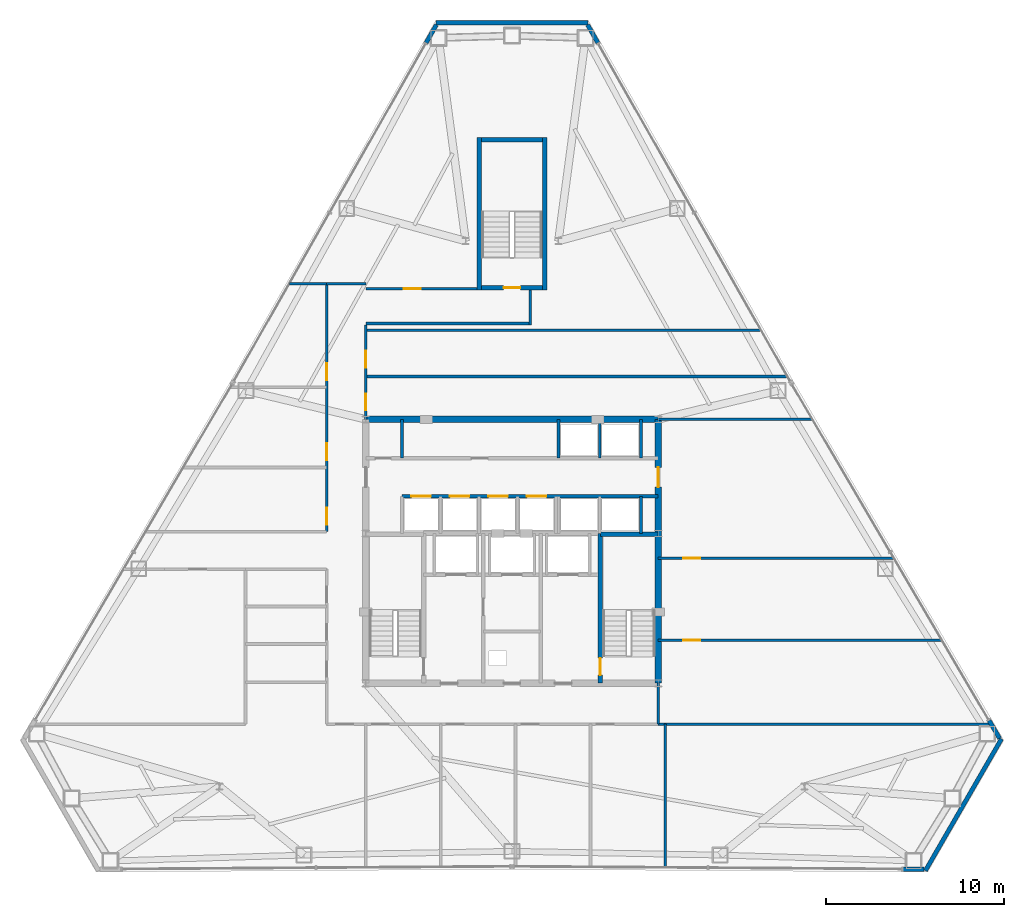
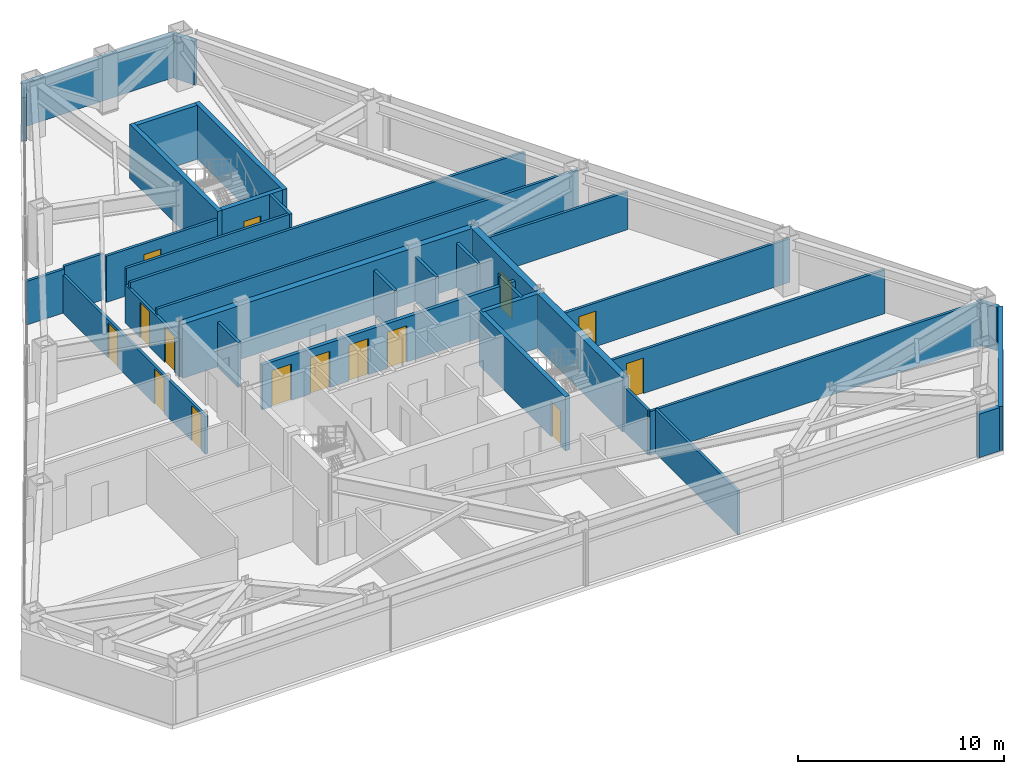
# One storey, part 10 of 12: 35 walls, 15 doors, 15 openings.
"""IFC4 building model written with IfcOpenShell, lengths in metres."""

import ifcopenshell
import ifcopenshell.guid

model = None  # the IFC model being written
_history = None  # IfcOwnerHistory: only IFC2X3 demands one
_inside = {}  # id of a spatial element -> (the spatial element, [elements in it])
_under = {}  # id of a project, library or spatial element -> (it, [spatial elements below it])
_declared = {}  # id of a project -> (the project, [libraries it declares])
_typed = {}  # id of a type object -> (the type object, [elements of that type])
_made_of = {}  # id of a material, layer set ... -> (it, [elements and type objects made of it])


def new_model(schema):
    """Start an empty IFC model of exactly this schema.

    Asked for "IFC4X3", IfcOpenShell would pick the latest addendum, in which some entities
    have other attributes; the version numbers below select the first issue.
    IFC2X3 requires an IfcOwnerHistory on every rooted entity: one is made here for all.
    """
    global model, _history
    if schema == "IFC4X3":
        model = ifcopenshell.file(schema_version=(4, 3, 0, 0))
    else:
        model = ifcopenshell.file(schema=schema)
    _inside.clear()
    _under.clear()
    _declared.clear()
    _typed.clear()
    _made_of.clear()
    _history = None
    if model.schema == "IFC2X3":
        org = make("IfcOrganization", Name="unknown")
        user = make(
            "IfcPersonAndOrganization",
            ThePerson=make("IfcPerson", FamilyName="unknown"),
            TheOrganization=org,
        )
        app = make(
            "IfcApplication",
            ApplicationDeveloper=org,
            Version="unknown",
            ApplicationFullName="unknown",
            ApplicationIdentifier="unknown",
        )
        _history = make(
            "IfcOwnerHistory",
            OwningUser=user,
            OwningApplication=app,
            ChangeAction="ADDED",
            CreationDate=0,
        )
    return model


def make(cls, **values):
    """One entity of the class cls with the attributes given. An attribute that is None is left unset."""
    return model.create_entity(
        cls, **{name: value for name, value in values.items() if value is not None}
    )


def rooted(cls, **values):
    """An entity with a GlobalId (a new one), such as an element, a storey or a relation."""
    return make(cls, GlobalId=ifcopenshell.guid.new(), OwnerHistory=_history, **values)


def si_unit(unit_type, name, prefix=None):
    """IfcSIUnit, for example si_unit("LENGTHUNIT", "METRE", prefix="MILLI")."""
    return make("IfcSIUnit", UnitType=unit_type, Prefix=prefix, Name=name)


def assignment(units):
    """IfcUnitAssignment: the units of a project."""
    return None if units is None else make("IfcUnitAssignment", Units=units)


def point(xyz):
    """IfcCartesianPoint."""
    return None if xyz is None else make("IfcCartesianPoint", Coordinates=xyz)


def direction(xyz):
    """IfcDirection."""
    return None if xyz is None else make("IfcDirection", DirectionRatios=xyz)


def frame(location, z_axis=None, x_axis=None):
    """IfcAxis2Placement3D, a coordinate frame: its origin and axes. An axis left out is left unset."""
    return make(
        "IfcAxis2Placement3D",
        Location=point(location),
        Axis=direction(z_axis),
        RefDirection=direction(x_axis),
    )


def frame_2d(location, x_axis=None):
    """IfcAxis2Placement2D, a coordinate frame in the plane: its origin and x axis."""
    return make(
        "IfcAxis2Placement2D", Location=point(location), RefDirection=direction(x_axis)
    )


def origin():
    """The frame at (0, 0, 0) with its axes left unset."""
    return frame((0.0, 0.0, 0.0))


def place(relative_to, where):
    """IfcLocalPlacement: puts the frame where relative to a parent placement (None: the world)."""
    return make(
        "IfcLocalPlacement", PlacementRelTo=relative_to, RelativePlacement=where
    )


def context(
    kind, dimensions, precision=None, world=None, true_north=None, identifier=None
):
    """IfcGeometricRepresentationContext, for example the 3D "Model" context."""
    return make(
        "IfcGeometricRepresentationContext",
        ContextIdentifier=identifier,
        ContextType=kind,
        CoordinateSpaceDimension=dimensions,
        Precision=precision,
        WorldCoordinateSystem=world,
        TrueNorth=true_north,
    )


def subcontext(parent, identifier, kind, view, scale=None):
    """IfcGeometricRepresentationSubContext, for example "Body" below "Model"."""
    return make(
        "IfcGeometricRepresentationSubContext",
        ContextIdentifier=identifier,
        ContextType=kind,
        ParentContext=parent,
        TargetScale=scale,
        TargetView=view,
    )


def project(units=None, contexts=None):
    """IfcProject with its units and contexts."""
    return rooted(
        "IfcProject",
        Name="project",
        RepresentationContexts=contexts,
        UnitsInContext=assignment(units),
    )


def spatial(cls, under=None, at=None, **own):
    """A site, building, storey or space (cls), placed at a placement, below another one or the project."""
    s = rooted(cls, ObjectPlacement=at, **own)
    if under is not None:
        _under.setdefault(under.id(), (under, []))[1].append(s)
    return s


def profile(cls, at=None, kind="AREA", **sizes):
    """A parametric profile (cls). Its sizes go by their IFC names, for example OverallWidth=200.0."""
    return make(cls, ProfileType=kind, Position=at, **sizes)


def rectangle(**sizes):
    """IfcRectangleProfileDef."""
    return profile("IfcRectangleProfileDef", **sizes)


def extrude(swept, where, along, depth):
    """IfcExtrudedAreaSolid: the profile swept, set in the frame where, extruded along a direction by depth."""
    return make(
        "IfcExtrudedAreaSolid",
        SweptArea=swept,
        Position=where,
        ExtrudedDirection=direction(along),
        Depth=depth,
    )


def shape(context_of_items, identifier, shape_type, items):
    """IfcShapeRepresentation: the items that make up one representation, for example the "Body"."""
    return make(
        "IfcShapeRepresentation",
        ContextOfItems=context_of_items,
        RepresentationIdentifier=identifier,
        RepresentationType=shape_type,
        Items=items,
    )


def material(Name=None, Category=None):
    """IfcMaterial."""
    return make("IfcMaterial", Name=Name, Category=Category)


def layer(
    of_material, thickness, ventilated=None, Name=None, Category=None, Priority=None
):
    """IfcMaterialLayer: one layer of a wall or slab, of a material (None: an air gap)."""
    return make(
        "IfcMaterialLayer",
        Material=of_material,
        LayerThickness=thickness,
        IsVentilated=ventilated,
        Name=Name,
        Category=Category,
        Priority=Priority,
    )


def layer_set(layers, Name=None):
    """IfcMaterialLayerSet."""
    return make("IfcMaterialLayerSet", MaterialLayers=layers, LayerSetName=Name)


def made_of(thing, what):
    """Note that an element or type object is made of a material, layer set ...; save() writes the relation."""
    if what is not None:
        _made_of.setdefault(what.id(), (what, []))[1].append(thing)
    return thing


def type_object(cls, material=None, **own):
    """A type object (cls), such as IfcWallType, which elements share."""
    return made_of(rooted(cls, **own), material)


def element(
    cls,
    number,
    at=None,
    inside=None,
    cuts=None,
    type_object=None,
    material=None,
    context=None,
    identifier="Body",
    shape_type=None,
    held_by="IfcProductDefinitionShape",
    body=None,
    shapes=None,
    **own,
):
    """One element of the class cls, such as IfcWall. Its Tag is "e" and its number.

    at: its placement. inside: the storey or other place that contains it. cuts: it is an
    opening in that element (IfcRelVoidsElement). A single representation is given by context,
    identifier, shape_type and body (its items); several are given by shapes. held_by: the class
    of the entity that holds the representations. save() writes the other relations.
    """
    e = rooted(cls, Tag="e%d" % number, ObjectPlacement=at, **own)
    if body is not None:
        shapes = [shape(context, identifier, shape_type, body)]
    if shapes is not None:
        e.Representation = make(held_by, Representations=shapes)
    if inside is not None:
        _inside.setdefault(inside.id(), (inside, []))[1].append(e)
    if cuts is not None:
        rooted(
            "IfcRelVoidsElement", RelatingBuildingElement=cuts, RelatedOpeningElement=e
        )
    if type_object is not None:
        _typed.setdefault(type_object.id(), (type_object, []))[1].append(e)
    return made_of(e, material)


def fill(opening, filler):
    """IfcRelFillsElement: the door or window that sits in an opening."""
    return rooted(
        "IfcRelFillsElement",
        RelatingOpeningElement=opening,
        RelatedBuildingElement=filler,
    )


def aggregate(whole, parts):
    """IfcRelAggregates: a whole, such as a stair, and the parts it consists of."""
    return rooted("IfcRelAggregates", RelatingObject=whole, RelatedObjects=parts)


def save(model, path):
    """Write the relations noted so far, then the file.

    IfcRelAggregates (storeys below a building ...), IfcRelContainedInSpatialStructure (elements
    in a storey), IfcRelDefinesByType, IfcRelAssociatesMaterial and IfcRelDeclares: one each for
    every whole, place, type object, material and project.
    """
    for whole, parts in _under.values():
        aggregate(whole, parts)
    for where, things in _inside.values():
        rooted(
            "IfcRelContainedInSpatialStructure",
            RelatedElements=things,
            RelatingStructure=where,
        )
    for kind, things in _typed.values():
        rooted("IfcRelDefinesByType", RelatedObjects=things, RelatingType=kind)
    for what, things in _made_of.values():
        rooted("IfcRelAssociatesMaterial", RelatedObjects=things, RelatingMaterial=what)
    for by, libraries in _declared.values():
        rooted("IfcRelDeclares", RelatingContext=by, RelatedDefinitions=libraries)
    model.write(path)


model = new_model("IFC4")

# Units and contexts
model_context = context("Model", 3, precision=1e-05, world=origin(), true_north=direction((0.0, 1.0)))
body_context = subcontext(model_context, "Body", "Model", "MODEL_VIEW")
ifc_project = project(units=[si_unit("LENGTHUNIT", "METRE"), si_unit("AREAUNIT", "SQUARE_METRE"), si_unit("VOLUMEUNIT", "CUBIC_METRE"), si_unit("PLANEANGLEUNIT", "RADIAN"), si_unit("MASSUNIT", "GRAM", prefix="KILO")], contexts=[model_context])

# Site, building, storey
site_placement = place(None, origin())
site = spatial("IfcSite", under=ifc_project, at=site_placement, CompositionType="ELEMENT")
building_placement = place(site_placement, origin())
building = spatial("IfcBuilding", under=site, at=building_placement, Name="Varakhsha Concourse Tower", CompositionType="ELEMENT")
storey_placement = place(building_placement, frame((0.0, 0.0, 129.800048828125)))
storey = spatial("IfcBuildingStorey", under=building, at=storey_placement, Name="L37", CompositionType="ELEMENT", Elevation=129.800048828125)

# Wall
ifc_material_1 = material(Name="Concrete fc 65 MPa", Category="concrete")
ifc_layer_1 = layer(ifc_material_1, 0.35009765625, Name="WL-CORE-350")
ifc_layer_set_1 = layer_set([ifc_layer_1], Name="Concrete fc 65 MPa")
wall_type_1 = type_object("IfcWallType", Name="WL-CORE-350", PredefinedType="SHEAR", material=ifc_layer_set_1)
wall_1_placement = place(storey_placement, frame((31.800048828125, 31.199951171875, 0.0), z_axis=(0.0, 0.0, 1.0), x_axis=(1.0, 0.0, 0.0)))
element("IfcWall", 1, at=wall_1_placement, inside=storey, type_object=wall_type_1, Name="L37 Wall CWALL-N-L37", PredefinedType="SHEAR", context=body_context, shape_type="SweptSolid", body=[
    extrude(rectangle(XDim=16.39990234375, YDim=0.35009765625, at=frame_2d((8.199951171875, 0.0))), origin(), (0.0, 0.0, 1.0), 3.2099609375),
])

# Wall, opening, door
wall_2_placement = place(storey_placement, frame((48.199951171875, 16.39990234375, 0.0), z_axis=(0.0, 0.0, 1.0), x_axis=(0.0, 1.0, 0.0)))
wall_2 = element("IfcWall", 2, at=wall_2_placement, inside=storey, type_object=wall_type_1, Name="L37 Wall CWALL-E-L37", PredefinedType="SHEAR", context=body_context, shape_type="SweptSolid", body=[
    extrude(rectangle(XDim=14.800048828125, YDim=0.35009765625, at=frame_2d((7.39990234375, 0.0))), origin(), (0.0, 0.0, 1.0), 3.2099609375),
])
opening_1_placement = place(wall_2_placement, frame((11.0, 0.0, 0.0)))
opening_1 = element("IfcOpeningElement", 3, at=opening_1_placement, cuts=wall_2, Name="Opening DL-01", PredefinedType="OPENING", context=body_context, shape_type="SweptSolid", body=[
    extrude(rectangle(XDim=1.10009765625, YDim=2.14990234375, at=frame_2d((0.550048828125, 1.074951171875))), frame((0.0, 0.18505859375, 0.0), z_axis=(0.0, -1.0, 0.0), x_axis=(1.0, 0.0, 0.0)), (0.0, 0.0, 1.0), 0.3701171875),
])
ifc_material_2 = material(Name="Anodised Bronze Architectural Aluminium AA 6063-T6", Category="aluminium")
door_type_1 = type_object("IfcDoorType", Name="DR-LOB-1100", OperationType="NOTDEFINED", PredefinedType="DOOR", material=ifc_material_2)
door_1_placement = place(opening_1_placement, origin())
door_1 = element("IfcDoor", 4, at=door_1_placement, inside=storey, type_object=door_type_1, Name="L37 Lift Lobby East Concourse Door", OperationType="SINGLE_SWING_RIGHT", OverallHeight=2.14990234375, OverallWidth=1.10009765625, PredefinedType="DOOR", context=body_context, shape_type="SweptSolid", body=[
    extrude(rectangle(XDim=1.10009765625, YDim=2.14990234375, at=frame_2d((0.550048828125, 1.074951171875))), frame((0.0, 0.02490234375, 0.0), z_axis=(0.0, -1.0, 0.0), x_axis=(1.0, 0.0, 0.0)), (0.0, 0.0, 1.0), 0.050048828125),
])
fill(opening_1, door_1)

# Walls
ifc_material_3 = material(Name="Concrete fc 45 MPa", Category="concrete")
ifc_layer_2 = layer(ifc_material_3, 0.239990234375, Name="WL-EXT-CRN-240")
ifc_layer_set_2 = layer_set([ifc_layer_2], Name="Concrete fc 45 MPa")
wall_type_2 = type_object("IfcWallType", Name="WL-EXT-CRN-240", PredefinedType="SHEAR", material=ifc_layer_set_2)
wall_3_placement = place(storey_placement, frame((35.728515625, 53.441650390625, 0.0), z_axis=(0.0, 0.0, 1.0), x_axis=(1.0, 0.0, 0.0)))
element("IfcWall", 5, at=wall_3_placement, inside=storey, type_object=wall_type_2, Name="L37 Chamfer Wind-Corner Insulated Wall F1", PredefinedType="SHEAR", context=body_context, shape_type="SweptSolid", body=[
    extrude(rectangle(XDim=8.54296875, YDim=0.239990234375, at=frame_2d((4.271484375, 0.0))), origin(), (0.0, 0.0, 1.0), 2.5830078125),
])
wall_4_placement = place(storey_placement, frame((35.7587890625, 53.331298828125, 0.0), z_axis=(0.0, 0.0, 1.0), x_axis=(-0.493966107368, -0.869481158377, 0.0)))
element("IfcWall", 6, at=wall_4_placement, inside=storey, type_object=wall_type_2, Name="L37 Wind-Corner Shoulder Wall F2", PredefinedType="SHEAR", context=body_context, shape_type="SweptSolid", body=[
    extrude(rectangle(XDim=1.162353515625, YDim=0.239990234375, at=frame_2d((0.5810546875, 0.0))), origin(), (0.0, 0.0, 1.0), 2.5830078125),
])
wall_5_placement = place(storey_placement, frame((61.9453125, 5.96923828125, 0.0), z_axis=(0.0, 0.0, 1.0), x_axis=(0.999977422468, -0.006719713885, 0.0)))
element("IfcWall", 7, at=wall_5_placement, inside=storey, type_object=wall_type_2, Name="L37 Wind-Corner Shoulder Wall F6", PredefinedType="SHEAR", context=body_context, shape_type="SweptSolid", body=[
    extrude(rectangle(XDim=1.16259765625, YDim=0.239990234375, at=frame_2d((0.581298828125, 0.0))), origin(), (0.0, 0.0, 1.0), 2.5830078125),
])
wall_6_placement = place(storey_placement, frame((67.459716796875, 13.2783203125, 0.0), z_axis=(0.0, 0.0, 1.0), x_axis=(-0.499999516514, -0.866025682925, 0.0)))
element("IfcWall", 8, at=wall_6_placement, inside=storey, type_object=wall_type_2, Name="L37 Chamfer Wind-Corner Insulated Wall F7", PredefinedType="SHEAR", context=body_context, shape_type="SweptSolid", body=[
    extrude(rectangle(XDim=8.54296875, YDim=0.239990234375, at=frame_2d((4.271484375, 0.0))), origin(), (0.0, 0.0, 1.0), 2.5830078125),
])
wall_7_placement = place(storey_placement, frame((67.34912109375, 13.30712890625, 0.0), z_axis=(0.0, 0.0, 1.0), x_axis=(-0.505854218529, 0.862618982863, 0.0)))
element("IfcWall", 9, at=wall_7_placement, inside=storey, type_object=wall_type_2, Name="L37 Wind-Corner Shoulder Wall F8", PredefinedType="SHEAR", context=body_context, shape_type="SweptSolid", body=[
    extrude(rectangle(XDim=1.16259765625, YDim=0.239990234375, at=frame_2d((0.581298828125, 0.0))), origin(), (0.0, 0.0, 1.0), 2.5830078125),
])
wall_8_placement = place(storey_placement, frame((44.8154296875, 52.320556640625, 0.0), z_axis=(0.0, 0.0, 1.0), x_axis=(-0.493966107368, 0.869481158377, 0.0)))
element("IfcWall", 10, at=wall_8_placement, inside=storey, type_object=wall_type_2, Name="L37 Wind-Corner Shoulder Wall F9", PredefinedType="SHEAR", context=body_context, shape_type="SweptSolid", body=[
    extrude(rectangle(XDim=1.162353515625, YDim=0.239990234375, at=frame_2d((0.5810546875, 0.0))), origin(), (0.0, 0.0, 1.0), 2.5830078125),
])
ifc_material_4 = material(Name="Fire-Rated Type X Gypsum Partition Assembly", Category="gypsum")
ifc_layer_3 = layer(ifc_material_4, 0.14990234375, Name="WL-PART-150")
ifc_layer_set_3 = layer_set([ifc_layer_3], Name="Fire-Rated Type X Gypsum Partition Assembly")
wall_type_3 = type_object("IfcWallType", Name="WL-PART-150", PredefinedType="PARTITIONING", material=ifc_layer_set_3)
wall_9_placement = place(storey_placement, frame((48.199951171875, 14.10009765625, 0.0), z_axis=(0.0, 0.0, 1.0), x_axis=(0.0, 1.0, 0.0)))
element("IfcWall", 11, at=wall_9_placement, inside=storey, type_object=wall_type_3, Name="L37 Wall CRW-SE-L37", PredefinedType="PARTITIONING", context=body_context, shape_type="SweptSolid", body=[
    extrude(rectangle(XDim=2.2998046875, YDim=0.14990234375, at=frame_2d((1.14990234375, 0.0))), origin(), (0.0, 0.0, 1.0), 2.660888671875),
])

# Wall, openings, doors
wall_10_placement = place(storey_placement, frame((29.60009765625, 24.89990234375, 0.0), z_axis=(0.0, 0.0, 1.0), x_axis=(0.0, 1.0, 0.0)))
wall_10 = element("IfcWall", 12, at=wall_10_placement, inside=storey, type_object=wall_type_3, Name="L37 Wall CRW-WN-L37", PredefinedType="PARTITIONING", context=body_context, shape_type="SweptSolid", body=[
    extrude(rectangle(XDim=13.900146484375, YDim=0.14990234375, at=frame_2d((6.9501953125, 0.0))), origin(), (0.0, 0.0, 1.0), 2.251953125),
])
opening_2_placement = place(wall_10_placement, frame((0.39990234375, 0.0, 0.0)))
opening_2 = element("IfcOpeningElement", 13, at=opening_2_placement, cuts=wall_10, Name="Opening DF-05", PredefinedType="OPENING", context=body_context, shape_type="SweptSolid", body=[
    extrude(rectangle(XDim=0.949951171875, YDim=2.10009765625, at=frame_2d((0.47509765625, 1.050048828125))), frame((0.0, 0.0849609375, 0.0), z_axis=(0.0, -1.0, 0.0), x_axis=(1.0, 0.0, 0.0)), (0.0, 0.0, 1.0), 0.169921875),
])
opening_3_placement = place(wall_10_placement, frame((4.0, 0.0, 0.0)))
opening_3 = element("IfcOpeningElement", 14, at=opening_3_placement, cuts=wall_10, Name="Opening DF-05", PredefinedType="OPENING", context=body_context, shape_type="SweptSolid", body=[
    extrude(rectangle(XDim=0.949951171875, YDim=2.10009765625, at=frame_2d((0.47509765625, 1.050048828125))), frame((0.0, 0.0849609375, 0.0), z_axis=(0.0, -1.0, 0.0), x_axis=(1.0, 0.0, 0.0)), (0.0, 0.0, 1.0), 0.169921875),
])
opening_4_placement = place(wall_10_placement, frame((8.5, 0.0, 0.0)))
opening_4 = element("IfcOpeningElement", 15, at=opening_4_placement, cuts=wall_10, Name="Opening DF-05", PredefinedType="OPENING", context=body_context, shape_type="SweptSolid", body=[
    extrude(rectangle(XDim=0.949951171875, YDim=2.10009765625, at=frame_2d((0.47509765625, 1.050048828125))), frame((0.0, 0.0849609375, 0.0), z_axis=(0.0, -1.0, 0.0), x_axis=(1.0, 0.0, 0.0)), (0.0, 0.0, 1.0), 0.169921875),
])
ifc_material_5 = material(Name="Hollow Galvanised Steel Fire Door Assembly", Category="steel")
door_type_2 = type_object("IfcDoorType", Name="DR-FD60-950", OperationType="NOTDEFINED", PredefinedType="DOOR", material=ifc_material_5)
door_2_placement = place(opening_2_placement, origin())
door_2 = element("IfcDoor", 16, at=door_2_placement, inside=storey, type_object=door_type_2, Name="L37 Lab Staff Refreshment Kitchen L37-NW Door", OperationType="SINGLE_SWING_RIGHT", OverallHeight=2.10009765625, OverallWidth=0.949951171875, PredefinedType="DOOR", context=body_context, shape_type="SweptSolid", body=[
    extrude(rectangle(XDim=0.949951171875, YDim=2.10009765625, at=frame_2d((0.47509765625, 1.050048828125))), frame((0.0, 0.02490234375, 0.0), z_axis=(0.0, -1.0, 0.0), x_axis=(1.0, 0.0, 0.0)), (0.0, 0.0, 1.0), 0.050048828125),
])
fill(opening_2, door_2)
door_3_placement = place(opening_3_placement, origin())
door_3 = element("IfcDoor", 17, at=door_3_placement, inside=storey, type_object=door_type_2, Name="L37 Dry R&D Design Lab L37-W2 Door", OperationType="SINGLE_SWING_LEFT", OverallHeight=2.10009765625, OverallWidth=0.949951171875, PredefinedType="DOOR", context=body_context, shape_type="SweptSolid", body=[
    extrude(rectangle(XDim=0.949951171875, YDim=2.10009765625, at=frame_2d((0.47509765625, 1.050048828125))), frame((0.0, 0.02490234375, 0.0), z_axis=(0.0, -1.0, 0.0), x_axis=(1.0, 0.0, 0.0)), (0.0, 0.0, 1.0), 0.050048828125),
])
fill(opening_3, door_3)
door_4_placement = place(opening_4_placement, origin())
door_4 = element("IfcDoor", 18, at=door_4_placement, inside=storey, type_object=door_type_2, Name="L37 Dry R&D Design Lab L37-W3 Door", OperationType="SINGLE_SWING_RIGHT", OverallHeight=2.10009765625, OverallWidth=0.949951171875, PredefinedType="DOOR", context=body_context, shape_type="SweptSolid", body=[
    extrude(rectangle(XDim=0.949951171875, YDim=2.10009765625, at=frame_2d((0.47509765625, 1.050048828125))), frame((0.0, 0.02490234375, 0.0), z_axis=(0.0, -1.0, 0.0), x_axis=(1.0, 0.0, 0.0)), (0.0, 0.0, 1.0), 0.050048828125),
])
fill(opening_4, door_4)

wall_11_placement = place(storey_placement, frame((31.800048828125, 31.199951171875, 0.0), z_axis=(0.0, 0.0, 1.0), x_axis=(0.0, 1.0, 0.0)))
wall_11 = element("IfcWall", 19, at=wall_11_placement, inside=storey, type_object=wall_type_3, Name="L37 Wall CRW-NE-L37", PredefinedType="PARTITIONING", context=body_context, shape_type="SweptSolid", body=[
    extrude(rectangle(XDim=5.300048828125, YDim=0.14990234375, at=frame_2d((2.64990234375, 0.0))), origin(), (0.0, 0.0, 1.0), 2.251953125),
])
opening_5_placement = place(wall_11_placement, frame((0.5, 0.0, 0.0)))
opening_5 = element("IfcOpeningElement", 20, at=opening_5_placement, cuts=wall_11, Name="Opening DF-05", PredefinedType="OPENING", context=body_context, shape_type="SweptSolid", body=[
    extrude(rectangle(XDim=0.949951171875, YDim=2.10009765625, at=frame_2d((0.47509765625, 1.050048828125))), frame((0.0, 0.0849609375, 0.0), z_axis=(0.0, -1.0, 0.0), x_axis=(1.0, 0.0, 0.0)), (0.0, 0.0, 1.0), 0.169921875),
])
opening_6_placement = place(wall_11_placement, frame((2.89990234375, 0.0, 0.0)))
opening_6 = element("IfcOpeningElement", 21, at=opening_6_placement, cuts=wall_11, Name="Opening DF-05", PredefinedType="OPENING", context=body_context, shape_type="SweptSolid", body=[
    extrude(rectangle(XDim=0.949951171875, YDim=2.10009765625, at=frame_2d((0.47509765625, 1.050048828125))), frame((0.0, 0.0849609375, 0.0), z_axis=(0.0, -1.0, 0.0), x_axis=(1.0, 0.0, 0.0)), (0.0, 0.0, 1.0), 0.169921875),
])
door_5_placement = place(opening_5_placement, origin())
door_5 = element("IfcDoor", 22, at=door_5_placement, inside=storey, type_object=door_type_2, Name="L37 Mountain View BIM Coordination Workroom L37-NE1 Door", OperationType="SINGLE_SWING_RIGHT", OverallHeight=2.10009765625, OverallWidth=0.949951171875, PredefinedType="DOOR", context=body_context, shape_type="SweptSolid", body=[
    extrude(rectangle(XDim=0.949951171875, YDim=2.10009765625, at=frame_2d((0.47509765625, 1.050048828125))), frame((0.0, 0.02490234375, 0.0), z_axis=(0.0, -1.0, 0.0), x_axis=(1.0, 0.0, 0.0)), (0.0, 0.0, 1.0), 0.050048828125),
])
fill(opening_5, door_5)
door_6_placement = place(opening_6_placement, origin())
door_6 = element("IfcDoor", 23, at=door_6_placement, inside=storey, type_object=door_type_2, Name="L37 Apex Dry R&D Design Lab L37-NE2 Door", OperationType="SINGLE_SWING_RIGHT", OverallHeight=2.10009765625, OverallWidth=0.949951171875, PredefinedType="DOOR", context=body_context, shape_type="SweptSolid", body=[
    extrude(rectangle(XDim=0.949951171875, YDim=2.10009765625, at=frame_2d((0.47509765625, 1.050048828125))), frame((0.0, 0.02490234375, 0.0), z_axis=(0.0, -1.0, 0.0), x_axis=(1.0, 0.0, 0.0)), (0.0, 0.0, 1.0), 0.050048828125),
])
fill(opening_6, door_6)

# Walls
wall_12_placement = place(storey_placement, frame((29.60009765625, 38.800048828125, 0.0), z_axis=(0.0, 0.0, 1.0), x_axis=(1.0, 0.0, 0.0)))
element("IfcWall", 24, at=wall_12_placement, inside=storey, type_object=wall_type_3, Name="L37 Wall CRW-NCAP-L37", PredefinedType="PARTITIONING", context=body_context, shape_type="SweptSolid", body=[
    extrude(rectangle(XDim=2.199951171875, YDim=0.14990234375, at=frame_2d((1.10009765625, 0.0))), origin(), (0.0, 0.0, 1.0), 2.742919921875),
])
wall_13_placement = place(storey_placement, frame((48.60009765625, 6.06494140625, 0.0), z_axis=(0.0, 0.0, 1.0), x_axis=(0.0, 1.0, 0.0)))
element("IfcWall", 25, at=wall_13_placement, inside=storey, type_object=wall_type_3, Name="L37 Wall ODIV-S5-L37", PredefinedType="PARTITIONING", context=body_context, shape_type="SweptSolid", body=[
    extrude(rectangle(XDim=8.03515625, YDim=0.14990234375, at=frame_2d((4.017578125, 0.0))), origin(), (0.0, 0.0, 1.0), 2.5888671875),
])
wall_14_placement = place(storey_placement, frame((27.506103515625, 38.800048828125, 0.0), z_axis=(0.0, 0.0, 1.0), x_axis=(1.0, 0.0, 0.0)))
element("IfcWall", 26, at=wall_14_placement, inside=storey, type_object=wall_type_3, Name="L37 Wall ODIV-NWT-L37", PredefinedType="PARTITIONING", context=body_context, shape_type="SweptSolid", body=[
    extrude(rectangle(XDim=2.093994140625, YDim=0.14990234375, at=frame_2d((1.046875, 0.0))), origin(), (0.0, 0.0, 1.0), 2.5888671875),
])
wall_15_placement = place(storey_placement, frame((48.199951171875, 31.199951171875, 0.0), z_axis=(0.0, 0.0, 1.0), x_axis=(1.0, 0.0, 0.0)))
element("IfcWall", 27, at=wall_15_placement, inside=storey, type_object=wall_type_3, Name="L37 Wall ODIV-NEB-L37", PredefinedType="PARTITIONING", context=body_context, shape_type="SweptSolid", body=[
    extrude(rectangle(XDim=8.650390625, YDim=0.14990234375, at=frame_2d((4.3251953125, 0.0))), origin(), (0.0, 0.0, 1.0), 2.251953125),
])
wall_16_placement = place(storey_placement, frame((31.800048828125, 33.60009765625, 0.0), z_axis=(0.0, 0.0, 1.0), x_axis=(1.0, 0.0, 0.0)))
element("IfcWall", 28, at=wall_16_placement, inside=storey, type_object=wall_type_3, Name="L37 Wall ODIV-NE1-L37", PredefinedType="PARTITIONING", context=body_context, shape_type="SweptSolid", body=[
    extrude(rectangle(XDim=23.6494140625, YDim=0.14990234375, at=frame_2d((11.82470703125, 0.0))), origin(), (0.0, 0.0, 1.0), 2.5888671875),
])
wall_17_placement = place(storey_placement, frame((31.800048828125, 36.199951171875, 0.0), z_axis=(0.0, 0.0, 1.0), x_axis=(1.0, 0.0, 0.0)))
element("IfcWall", 29, at=wall_17_placement, inside=storey, type_object=wall_type_3, Name="L37 Wall ODIV-NE2-L37", PredefinedType="PARTITIONING", context=body_context, shape_type="SweptSolid", body=[
    extrude(rectangle(XDim=22.171630859375, YDim=0.14990234375, at=frame_2d((11.0859375, 0.0))), origin(), (0.0, 0.0, 1.0), 2.5888671875),
])
wall_18_placement = place(storey_placement, frame((48.199951171875, 14.10009765625, 0.0), z_axis=(0.0, 0.0, 1.0), x_axis=(1.0, 0.0, 0.0)))
element("IfcWall", 30, at=wall_18_placement, inside=storey, type_object=wall_type_3, Name="L37 Wall ODIV-EB0-L37", PredefinedType="PARTITIONING", context=body_context, shape_type="SweptSolid", body=[
    extrude(rectangle(XDim=18.678466796875, YDim=0.14990234375, at=frame_2d((9.33935546875, 0.0))), origin(), (0.0, 0.0, 1.0), 2.5888671875),
])

# Wall, opening, door
wall_19_placement = place(storey_placement, frame((48.199951171875, 18.800048828125, 0.0), z_axis=(0.0, 0.0, 1.0), x_axis=(1.0, 0.0, 0.0)))
wall_19 = element("IfcWall", 31, at=wall_19_placement, inside=storey, type_object=wall_type_3, Name="L37 Wall ODIV-E1-L37", PredefinedType="PARTITIONING", context=body_context, shape_type="SweptSolid", body=[
    extrude(rectangle(XDim=15.922119140625, YDim=0.14990234375, at=frame_2d((7.9609375, 0.0))), origin(), (0.0, 0.0, 1.0), 2.5888671875),
])
opening_7_placement = place(wall_19_placement, frame((1.39990234375, 0.0, 0.0)))
opening_7 = element("IfcOpeningElement", 32, at=opening_7_placement, cuts=wall_19, Name="Opening DF-05", PredefinedType="OPENING", context=body_context, shape_type="SweptSolid", body=[
    extrude(rectangle(XDim=0.949951171875, YDim=2.10009765625, at=frame_2d((0.47509765625, 1.050048828125))), frame((0.0, 0.0849609375, 0.0), z_axis=(0.0, -1.0, 0.0), x_axis=(1.0, 0.0, 0.0)), (0.0, 0.0, 1.0), 0.169921875),
])
door_7_placement = place(opening_7_placement, origin())
door_7 = element("IfcDoor", 33, at=door_7_placement, inside=storey, type_object=door_type_2, Name="L37 East Suite Interconnect Door 1", OperationType="SINGLE_SWING_LEFT", OverallHeight=2.10009765625, OverallWidth=0.949951171875, PredefinedType="DOOR", context=body_context, shape_type="SweptSolid", body=[
    extrude(rectangle(XDim=0.949951171875, YDim=2.10009765625, at=frame_2d((0.47509765625, 1.050048828125))), frame((0.0, 0.02490234375, 0.0), z_axis=(0.0, -1.0, 0.0), x_axis=(1.0, 0.0, 0.0)), (0.0, 0.0, 1.0), 0.050048828125),
])
fill(opening_7, door_7)

wall_20_placement = place(storey_placement, frame((48.199951171875, 23.39990234375, 0.0), z_axis=(0.0, 0.0, 1.0), x_axis=(1.0, 0.0, 0.0)))
wall_20 = element("IfcWall", 34, at=wall_20_placement, inside=storey, type_object=wall_type_3, Name="L37 Wall ODIV-E2-L37", PredefinedType="PARTITIONING", context=body_context, shape_type="SweptSolid", body=[
    extrude(rectangle(XDim=13.224609375, YDim=0.14990234375, at=frame_2d((6.6123046875, 0.0))), origin(), (0.0, 0.0, 1.0), 2.5888671875),
])
opening_8_placement = place(wall_20_placement, frame((1.39990234375, 0.0, 0.0)))
opening_8 = element("IfcOpeningElement", 35, at=opening_8_placement, cuts=wall_20, Name="Opening DF-05", PredefinedType="OPENING", context=body_context, shape_type="SweptSolid", body=[
    extrude(rectangle(XDim=0.949951171875, YDim=2.10009765625, at=frame_2d((0.47509765625, 1.050048828125))), frame((0.0, 0.0849609375, 0.0), z_axis=(0.0, -1.0, 0.0), x_axis=(1.0, 0.0, 0.0)), (0.0, 0.0, 1.0), 0.169921875),
])
door_8_placement = place(opening_8_placement, origin())
door_8 = element("IfcDoor", 36, at=door_8_placement, inside=storey, type_object=door_type_2, Name="L37 East Suite Interconnect Door 2", OperationType="SINGLE_SWING_RIGHT", OverallHeight=2.10009765625, OverallWidth=0.949951171875, PredefinedType="DOOR", context=body_context, shape_type="SweptSolid", body=[
    extrude(rectangle(XDim=0.949951171875, YDim=2.10009765625, at=frame_2d((0.47509765625, 1.050048828125))), frame((0.0, 0.02490234375, 0.0), z_axis=(0.0, -1.0, 0.0), x_axis=(1.0, 0.0, 0.0)), (0.0, 0.0, 1.0), 0.050048828125),
])
fill(opening_8, door_8)

# Wall
wall_21_placement = place(storey_placement, frame((31.800048828125, 36.574951171875, 0.0), z_axis=(0.0, 0.0, 1.0), x_axis=(1.0, 0.0, 0.0)))
element("IfcWall", 37, at=wall_21_placement, inside=storey, type_object=wall_type_3, Name="L37 Wall STLK-S-L37", PredefinedType="PARTITIONING", context=body_context, shape_type="SweptSolid", body=[
    extrude(rectangle(XDim=9.14990234375, YDim=0.14990234375, at=frame_2d((4.574951171875, 0.0))), origin(), (0.0, 0.0, 1.0), 3.2099609375),
])

# Wall, opening, door
wall_22_placement = place(storey_placement, frame((31.800048828125, 38.52490234375, 0.0), z_axis=(0.0, 0.0, 1.0), x_axis=(1.0, 0.0, 0.0)))
wall_22 = element("IfcWall", 38, at=wall_22_placement, inside=storey, type_object=wall_type_3, Name="L37 Wall STLK-N-L37", PredefinedType="PARTITIONING", context=body_context, shape_type="SweptSolid", body=[
    extrude(rectangle(XDim=6.25, YDim=0.14990234375, at=frame_2d((3.125, 0.0))), origin(), (0.0, 0.0, 1.0), 2.742919921875),
])
opening_9_placement = place(wall_22_placement, frame((2.125, 0.0, 0.0)))
opening_9 = element("IfcOpeningElement", 39, at=opening_9_placement, cuts=wall_22, Name="Opening DF-05", PredefinedType="OPENING", context=body_context, shape_type="SweptSolid", body=[
    extrude(rectangle(XDim=0.949951171875, YDim=2.10009765625, at=frame_2d((0.47509765625, 1.050048828125))), frame((0.0, 0.0849609375, 0.0), z_axis=(0.0, -1.0, 0.0), x_axis=(1.0, 0.0, 0.0)), (0.0, 0.0, 1.0), 0.169921875),
])
door_9_placement = place(opening_9_placement, origin())
door_9 = element("IfcDoor", 40, at=door_9_placement, inside=storey, type_object=door_type_2, Name="L37 Apex Dry R&D Design Lab L37-NE3 Door", OperationType="SINGLE_SWING_RIGHT", OverallHeight=2.10009765625, OverallWidth=0.949951171875, PredefinedType="DOOR", context=body_context, shape_type="SweptSolid", body=[
    extrude(rectangle(XDim=0.949951171875, YDim=2.10009765625, at=frame_2d((0.47509765625, 1.050048828125))), frame((0.0, 0.02490234375, 0.0), z_axis=(0.0, -1.0, 0.0), x_axis=(1.0, 0.0, 0.0)), (0.0, 0.0, 1.0), 0.050048828125),
])
fill(opening_9, door_9)

# Wall
wall_23_placement = place(storey_placement, frame((41.02490234375, 36.5, 0.0), z_axis=(0.0, 0.0, 1.0), x_axis=(0.0, 1.0, 0.0)))
element("IfcWall", 41, at=wall_23_placement, inside=storey, type_object=wall_type_3, Name="L37 Wall STLK-E-L37", PredefinedType="PARTITIONING", context=body_context, shape_type="SweptSolid", body=[
    extrude(rectangle(XDim=1.949951171875, YDim=0.14990234375, at=frame_2d((0.97509765625, 0.0))), origin(), (0.0, 0.0, 1.0), 3.2099609375),
])

# Wall, openings, doors
ifc_layer_4 = layer(ifc_material_4, 0.199951171875, Name="WL-SHAFT-220")
ifc_layer_set_4 = layer_set([ifc_layer_4], Name="Fire-Rated Type X Gypsum Partition Assembly")
wall_type_4 = type_object("IfcWallType", Name="WL-SHAFT-220", PredefinedType="SOLIDWALL", material=ifc_layer_set_4)
wall_24_placement = place(storey_placement, frame((33.820068359375, 26.8798828125, 0.0), z_axis=(0.0, 0.0, 1.0), x_axis=(1.0, 0.0, 0.0)))
wall_24 = element("IfcWall", 42, at=wall_24_placement, inside=storey, type_object=wall_type_4, Name="L37 Wall PLW-S-L37", PredefinedType="SOLIDWALL", context=body_context, shape_type="SweptSolid", body=[
    extrude(rectangle(XDim=14.3798828125, YDim=0.199951171875, at=frame_2d((7.18994140625, 0.0))), origin(), (0.0, 0.0, 1.0), 2.660888671875),
])
opening_10_placement = place(wall_24_placement, frame((0.530029296875, 0.0, 0.0)))
opening_10 = element("IfcOpeningElement", 43, at=opening_10_placement, cuts=wall_24, Name="Opening LD-LF-P05", PredefinedType="OPENING", context=body_context, shape_type="SweptSolid", body=[
    extrude(rectangle(XDim=1.10009765625, YDim=2.14990234375, at=frame_2d((0.550048828125, 1.074951171875))), frame((0.0, 0.10986328125, 0.0), z_axis=(0.0, -1.0, 0.0), x_axis=(1.0, 0.0, 0.0)), (0.0, 0.0, 1.0), 0.219970703125),
])
opening_11_placement = place(wall_24_placement, frame((2.68994140625, 0.0, 0.0)))
opening_11 = element("IfcOpeningElement", 44, at=opening_11_placement, cuts=wall_24, Name="Opening LD-LF-P06", PredefinedType="OPENING", context=body_context, shape_type="SweptSolid", body=[
    extrude(rectangle(XDim=1.10009765625, YDim=2.14990234375, at=frame_2d((0.550048828125, 1.074951171875))), frame((0.0, 0.10986328125, 0.0), z_axis=(0.0, -1.0, 0.0), x_axis=(1.0, 0.0, 0.0)), (0.0, 0.0, 1.0), 0.219970703125),
])
opening_12_placement = place(wall_24_placement, frame((4.85009765625, 0.0, 0.0)))
opening_12 = element("IfcOpeningElement", 45, at=opening_12_placement, cuts=wall_24, Name="Opening LD-LF-P07", PredefinedType="OPENING", context=body_context, shape_type="SweptSolid", body=[
    extrude(rectangle(XDim=1.10009765625, YDim=2.14990234375, at=frame_2d((0.550048828125, 1.074951171875))), frame((0.0, 0.10986328125, 0.0), z_axis=(0.0, -1.0, 0.0), x_axis=(1.0, 0.0, 0.0)), (0.0, 0.0, 1.0), 0.219970703125),
])
opening_13_placement = place(wall_24_placement, frame((7.010009765625, 0.0, 0.0)))
opening_13 = element("IfcOpeningElement", 46, at=opening_13_placement, cuts=wall_24, Name="Opening LD-LF-P08", PredefinedType="OPENING", context=body_context, shape_type="SweptSolid", body=[
    extrude(rectangle(XDim=1.10009765625, YDim=2.14990234375, at=frame_2d((0.550048828125, 1.074951171875))), frame((0.0, 0.10986328125, 0.0), z_axis=(0.0, -1.0, 0.0), x_axis=(1.0, 0.0, 0.0)), (0.0, 0.0, 1.0), 0.219970703125),
])
ifc_material_6 = material(Name="Brushed Austenitic Stainless Steel AISI 316", Category="steel")
door_type_3 = type_object("IfcDoorType", Name="DR-LD-1100", OperationType="DOUBLE_DOOR_SLIDING", PredefinedType="DOOR", material=ifc_material_6)
door_10_placement = place(opening_10_placement, origin())
door_10 = element("IfcDoor", 47, at=door_10_placement, inside=storey, type_object=door_type_3, Name="Lift Landing Door LF-P05 L37", OperationType="DOUBLE_DOOR_SLIDING", OverallHeight=2.14990234375, OverallWidth=1.10009765625, PredefinedType="DOOR", context=body_context, shape_type="SweptSolid", body=[
    extrude(rectangle(XDim=1.10009765625, YDim=2.14990234375, at=frame_2d((0.550048828125, 1.074951171875))), frame((0.0, 0.02490234375, 0.0), z_axis=(0.0, -1.0, 0.0), x_axis=(1.0, 0.0, 0.0)), (0.0, 0.0, 1.0), 0.050048828125),
])
fill(opening_10, door_10)
door_11_placement = place(opening_11_placement, origin())
door_11 = element("IfcDoor", 48, at=door_11_placement, inside=storey, type_object=door_type_3, Name="Lift Landing Door LF-P06 L37", OperationType="DOUBLE_DOOR_SLIDING", OverallHeight=2.14990234375, OverallWidth=1.10009765625, PredefinedType="DOOR", context=body_context, shape_type="SweptSolid", body=[
    extrude(rectangle(XDim=1.10009765625, YDim=2.14990234375, at=frame_2d((0.550048828125, 1.074951171875))), frame((0.0, 0.02490234375, 0.0), z_axis=(0.0, -1.0, 0.0), x_axis=(1.0, 0.0, 0.0)), (0.0, 0.0, 1.0), 0.050048828125),
])
fill(opening_11, door_11)
door_12_placement = place(opening_12_placement, origin())
door_12 = element("IfcDoor", 49, at=door_12_placement, inside=storey, type_object=door_type_3, Name="Lift Landing Door LF-P07 L37", OperationType="DOUBLE_DOOR_SLIDING", OverallHeight=2.14990234375, OverallWidth=1.10009765625, PredefinedType="DOOR", context=body_context, shape_type="SweptSolid", body=[
    extrude(rectangle(XDim=1.10009765625, YDim=2.14990234375, at=frame_2d((0.550048828125, 1.074951171875))), frame((0.0, 0.02490234375, 0.0), z_axis=(0.0, -1.0, 0.0), x_axis=(1.0, 0.0, 0.0)), (0.0, 0.0, 1.0), 0.050048828125),
])
fill(opening_12, door_12)
door_13_placement = place(opening_13_placement, origin())
door_13 = element("IfcDoor", 50, at=door_13_placement, inside=storey, type_object=door_type_3, Name="Lift Landing Door LF-P08 L37", OperationType="DOUBLE_DOOR_SLIDING", OverallHeight=2.14990234375, OverallWidth=1.10009765625, PredefinedType="DOOR", context=body_context, shape_type="SweptSolid", body=[
    extrude(rectangle(XDim=1.10009765625, YDim=2.14990234375, at=frame_2d((0.550048828125, 1.074951171875))), frame((0.0, 0.02490234375, 0.0), z_axis=(0.0, -1.0, 0.0), x_axis=(1.0, 0.0, 0.0)), (0.0, 0.0, 1.0), 0.050048828125),
])
fill(opening_13, door_13)

# Walls
for number, where, z_axis, x_axis, name in (
    (51, (33.820068359375, 29.02001953125, 0.0), (0.0, 0.0, 1.0), (0.0, 1.0, 0.0), "L37 Wall WBOH-E1-L37"),
    (52, (42.60009765625, 29.02001953125, 0.0), (0.0, 0.0, 1.0), (0.0, 1.0, 0.0), "L37 Wall SHW-LF-P09-W-L37"),
    (53, (44.919921875, 29.02001953125, 0.0), (0.0, 0.0, 1.0), (0.0, 1.0, 0.0), "L37 Wall SHW-LF-P09-E-L37"),
    (54, (47.239990234375, 29.02001953125, 0.0), (0.0, 0.0, 1.0), (0.0, 1.0, 0.0), "L37 Wall SHW-LF-P10-E-L37"),
):
    element("IfcWall", number, at=place(storey_placement, frame(where, z_axis=z_axis, x_axis=x_axis)), inside=storey, type_object=wall_type_4, Name=name, PredefinedType="SOLIDWALL", context=body_context, shape_type="SweptSolid", body=[
        extrude(rectangle(XDim=2.179931640625, YDim=0.159912109375, at=frame_2d((1.08984375, 0.0))), origin(), (0.0, 0.0, 1.0), 2.660888671875),
    ])
wall_25_placement = place(storey_placement, frame((47.239990234375, 24.800048828125, 0.0), z_axis=(0.0, 0.0, 1.0), x_axis=(0.0, 1.0, 0.0)))
element("IfcWall", 55, at=wall_25_placement, inside=storey, type_object=wall_type_4, Name="L37 Wall SHW-LF-P12-E-L37", PredefinedType="SOLIDWALL", context=body_context, shape_type="SweptSolid", body=[
    extrude(rectangle(XDim=2.079833984375, YDim=0.159912109375, at=frame_2d((1.0400390625, 0.0))), origin(), (0.0, 0.0, 1.0), 3.2099609375),
])

# Wall, opening, door
ifc_layer_5 = layer(ifc_material_3, 0.25, Name="WL-STAIR-250")
ifc_layer_set_5 = layer_set([ifc_layer_5], Name="Concrete fc 45 MPa")
wall_type_5 = type_object("IfcWallType", Name="WL-STAIR-250", PredefinedType="SHEAR", material=ifc_layer_set_5)
wall_26_placement = place(storey_placement, frame((44.955078125, 16.39990234375, 0.0), z_axis=(0.0, 0.0, 1.0), x_axis=(0.0, 1.0, 0.0)))
wall_26 = element("IfcWall", 56, at=wall_26_placement, inside=storey, type_object=wall_type_5, Name="L37 Wall SWALL-ST2-W-L37", PredefinedType="SHEAR", context=body_context, shape_type="SweptSolid", body=[
    extrude(rectangle(XDim=8.400146484375, YDim=0.25, at=frame_2d((4.2001953125, 0.0))), origin(), (0.0, 0.0, 1.0), 3.2099609375),
])
opening_14_placement = place(wall_26_placement, frame((0.449951171875, 0.0, 0.0)))
opening_14 = element("IfcOpeningElement", 57, at=opening_14_placement, cuts=wall_26, Name="Opening DF-03", PredefinedType="OPENING", context=body_context, shape_type="SweptSolid", body=[
    extrude(rectangle(XDim=0.949951171875, YDim=2.10009765625, at=frame_2d((0.47509765625, 1.050048828125))), frame((0.0, 0.135009765625, 0.0), z_axis=(0.0, -1.0, 0.0), x_axis=(1.0, 0.0, 0.0)), (0.0, 0.0, 1.0), 0.27001953125),
])
door_type_4 = type_object("IfcDoorType", Name="DR-FD90-950", OperationType="NOTDEFINED", PredefinedType="DOOR", material=ifc_material_5)
door_14_placement = place(opening_14_placement, origin())
door_14 = element("IfcDoor", 58, at=door_14_placement, inside=storey, type_object=door_type_4, Name="L37 Stair ST2 Fire Door", OperationType="SINGLE_SWING_RIGHT", OverallHeight=2.10009765625, OverallWidth=0.949951171875, PredefinedType="DOOR", context=body_context, shape_type="SweptSolid", body=[
    extrude(rectangle(XDim=0.949951171875, YDim=2.10009765625, at=frame_2d((0.47509765625, 1.050048828125))), frame((0.0, 0.02490234375, 0.0), z_axis=(0.0, -1.0, 0.0), x_axis=(1.0, 0.0, 0.0)), (0.0, 0.0, 1.0), 0.050048828125),
])
fill(opening_14, door_14)

# Walls
wall_27_placement = place(storey_placement, frame((44.955078125, 24.7548828125, 0.0), z_axis=(0.0, 0.0, 1.0), x_axis=(1.0, 0.0, 0.0)))
element("IfcWall", 59, at=wall_27_placement, inside=storey, type_object=wall_type_5, Name="L37 Wall SWALL-ST2-N-L37", PredefinedType="SHEAR", context=body_context, shape_type="SweptSolid", body=[
    extrude(rectangle(XDim=3.244873046875, YDim=0.25, at=frame_2d((1.62255859375, 0.0))), origin(), (0.0, 0.0, 1.0), 3.2099609375),
])
for number, where, z_axis, x_axis, name in (
    (60, (38.175048828125, 38.449951171875, 0.0), (0.0, 0.0, 1.0), (0.0, 1.0, 0.0), "L37 Wall SWALL-ST5-W-L37"),
    (61, (41.824951171875, 38.449951171875, 0.0), (0.0, 0.0, 1.0), (0.0, 1.0, 0.0), "L37 Wall SWALL-ST5-E-L37"),
):
    element("IfcWall", number, at=place(storey_placement, frame(where, z_axis=z_axis, x_axis=x_axis)), inside=storey, type_object=wall_type_5, Name=name, PredefinedType="SHEAR", context=body_context, shape_type="SweptSolid", body=[
        extrude(rectangle(XDim=8.550048828125, YDim=0.25, at=frame_2d((4.27490234375, 0.0))), origin(), (0.0, 0.0, 1.0), 3.2099609375),
    ])

# Wall, opening, door
wall_28_placement = place(storey_placement, frame((38.300048828125, 38.574951171875, 0.0), z_axis=(0.0, 0.0, 1.0), x_axis=(1.0, 0.0, 0.0)))
wall_28 = element("IfcWall", 62, at=wall_28_placement, inside=storey, type_object=wall_type_5, Name="L37 Wall SWALL-ST5-S-L37", PredefinedType="SHEAR", context=body_context, shape_type="SweptSolid", body=[
    extrude(rectangle(XDim=3.39990234375, YDim=0.25, at=frame_2d((1.699951171875, 0.0))), origin(), (0.0, 0.0, 1.0), 3.2099609375),
])
opening_15_placement = place(wall_28_placement, frame((1.22509765625, 0.0, 0.0)))
opening_15 = element("IfcOpeningElement", 63, at=opening_15_placement, cuts=wall_28, Name="Opening DF-03", PredefinedType="OPENING", context=body_context, shape_type="SweptSolid", body=[
    extrude(rectangle(XDim=0.949951171875, YDim=2.10009765625, at=frame_2d((0.47509765625, 1.050048828125))), frame((0.0, 0.135009765625, 0.0), z_axis=(0.0, -1.0, 0.0), x_axis=(1.0, 0.0, 0.0)), (0.0, 0.0, 1.0), 0.27001953125),
])
door_15_placement = place(opening_15_placement, origin())
door_15 = element("IfcDoor", 64, at=door_15_placement, inside=storey, type_object=door_type_4, Name="L37 Stair ST5 Fire Door", OperationType="SINGLE_SWING_RIGHT", OverallHeight=2.10009765625, OverallWidth=0.949951171875, PredefinedType="DOOR", context=body_context, shape_type="SweptSolid", body=[
    extrude(rectangle(XDim=0.949951171875, YDim=2.10009765625, at=frame_2d((0.47509765625, 1.050048828125))), frame((0.0, 0.02490234375, 0.0), z_axis=(0.0, -1.0, 0.0), x_axis=(1.0, 0.0, 0.0)), (0.0, 0.0, 1.0), 0.050048828125),
])
fill(opening_15, door_15)

# Wall
wall_29_placement = place(storey_placement, frame((38.300048828125, 46.875, 0.0), z_axis=(0.0, 0.0, 1.0), x_axis=(1.0, 0.0, 0.0)))
element("IfcWall", 65, at=wall_29_placement, inside=storey, type_object=wall_type_5, Name="L37 Wall SWALL-ST5-N-L37", PredefinedType="SHEAR", context=body_context, shape_type="SweptSolid", body=[
    extrude(rectangle(XDim=3.39990234375, YDim=0.25, at=frame_2d((1.699951171875, 0.0))), origin(), (0.0, 0.0, 1.0), 3.2099609375),
])

save(model, "model.ifc")
